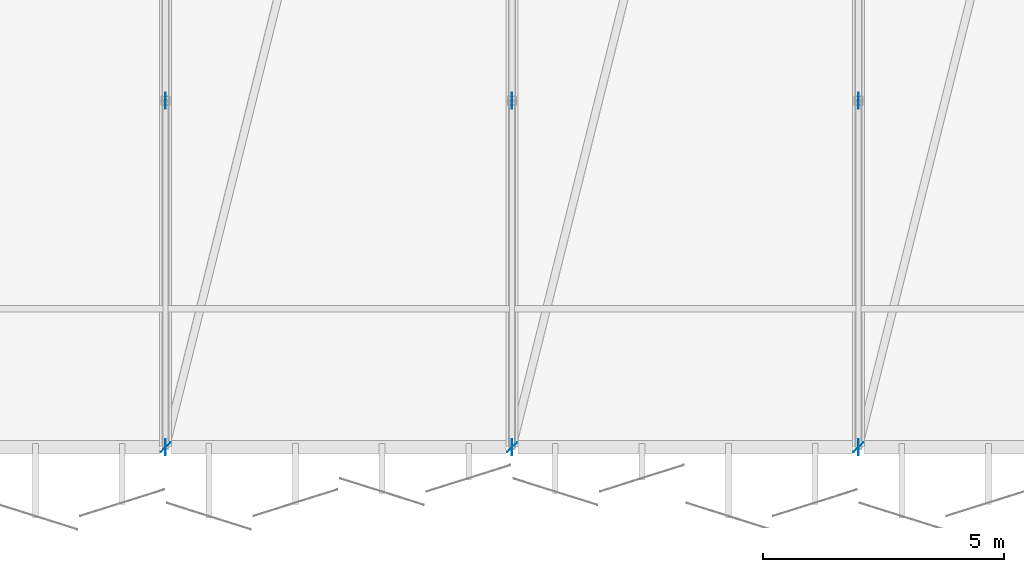
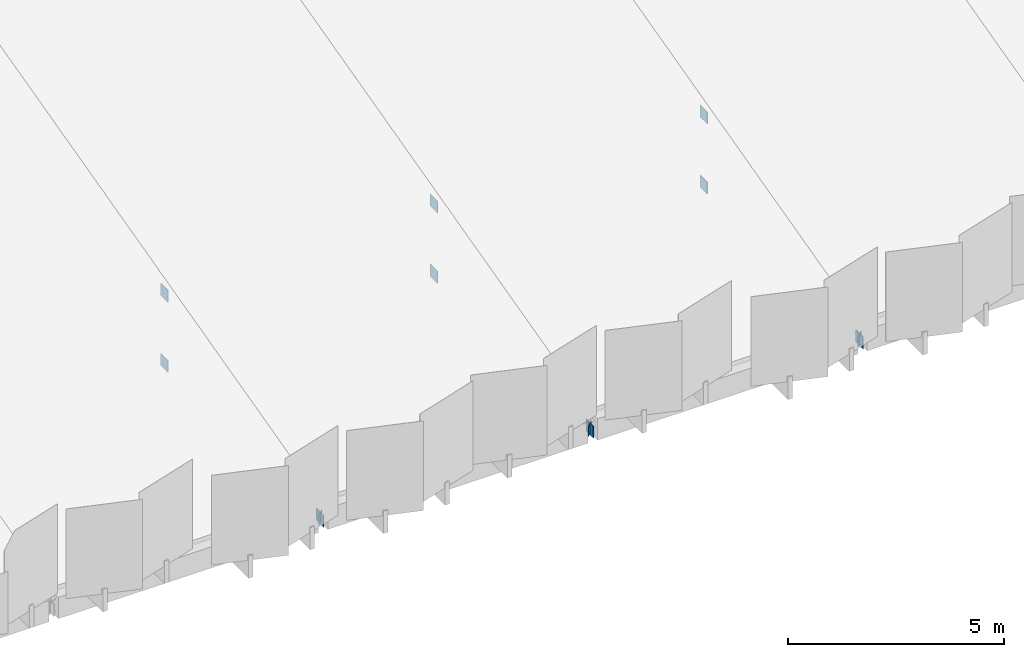
# One storey, part 72 of 108: 12 plates.
"""IFC4 building model written with IfcOpenShell, lengths in metres."""

from ifc_helpers import new_model, si_unit, direction, frame, origin, origin_2d, place, context, subcontext, project, spatial, rectangle, extrude, material, layer, layer_set, type_object, element, save


model = new_model("IFC4")

# Units and contexts
model_context = context("Model", 3, precision=1e-05, world=origin(), true_north=direction((0.0, 1.0)))
body_context = subcontext(model_context, "Body", "Model", "MODEL_VIEW")
ifc_project = project(units=[si_unit("LENGTHUNIT", "METRE"), si_unit("AREAUNIT", "SQUARE_METRE"), si_unit("VOLUMEUNIT", "CUBIC_METRE"), si_unit("PLANEANGLEUNIT", "RADIAN"), si_unit("MASSUNIT", "GRAM", prefix="KILO")], contexts=[model_context])

# Site, building, storey
site_placement = place(None, origin())
site = spatial("IfcSite", under=ifc_project, at=site_placement, CompositionType="ELEMENT")
building_placement = place(site_placement, origin())
building = spatial("IfcBuilding", under=site, at=building_placement, Name="Kangsadwip Square Police Headquarters", CompositionType="ELEMENT")
storey_placement = place(building_placement, frame((0.0, 0.0, 9.449951171875)))
storey = spatial("IfcBuildingStorey", under=building, at=storey_placement, Name="L02", CompositionType="ELEMENT", Elevation=9.449951171875)

# Plates
ifc_material_1 = material(Name="Structural steel IS 2062 E350 (Grade 350, 350 MPa)", Category="steel")
ifc_layer_1 = layer(ifc_material_1, 0.011962890625)
ifc_layer_set_1 = layer_set([ifc_layer_1], Name="Structural steel IS 2062 E350 (Grade 350, 350 MPa)")
plate_type_1 = type_object("IfcPlateType", Name="TrussEndCapPlate12", PredefinedType="USERDEFINED", material=ifc_layer_set_1)
for number, where, z_axis, x_axis, name in (
    (1, (64.800048828125, 86.39990234375, -0.68994140625), (0.0, 0.0, 1.0), (0.707106781187, 0.707106781187, 0.0), "Truss Node Gusset Plate GP-L02-0050"),
    (2, (72.0, 86.39990234375, -0.68994140625), (0.0, 0.0, 1.0), (0.707106781187, 0.707106781187, 0.0), "Truss Node Gusset Plate GP-L02-0052"),
    (3, (79.199951171875, 86.39990234375, -0.68994140625), (0.0, 0.0, 1.0), (0.707106781187, 0.707106781187, 0.0), "Truss Node Gusset Plate GP-L02-0054"),
):
    element("IfcPlate", number, at=place(storey_placement, frame(where, z_axis=z_axis, x_axis=x_axis)), inside=storey, type_object=plate_type_1, Name=name, ObjectType="GUSSET_PLATE", PredefinedType="USERDEFINED", context=body_context, shape_type="SweptSolid", body=[
        extrude(rectangle(XDim=0.280029296875, YDim=0.011962890625, at=origin_2d()), origin(), (0.0, 0.0, 1.0), 0.280029296875),
    ])
ifc_material_2 = material(Name="Structural steel IS 2062 E350 (Grade 350, 350 MPa)", Category="steel")
ifc_layer_2 = layer(ifc_material_2, 0.01611328125)
ifc_layer_set_2 = layer_set([ifc_layer_2], Name="Structural steel IS 2062 E350 (Grade 350, 350 MPa)")
plate_type_2 = type_object("IfcPlateType", Name="TrussGussetPlate16", PredefinedType="USERDEFINED", material=ifc_layer_set_2)
for number, where, z_axis, x_axis, name in (
    (4, (64.800048828125, 93.60009765625, -0.72021484375), (0.0, 0.0, 1.0), (0.0, 1.0, 0.0), "Truss Node Gusset Plate GP-L02-0015"),
    (5, (64.800048828125, 93.60009765625, 1.259765625), (0.0, 0.0, 1.0), (0.0, 1.0, 0.0), "Truss Node Gusset Plate GP-L02-0016"),
    (6, (64.800048828125, 86.39990234375, -0.72021484375), (0.0, 0.0, 1.0), (0.0, 1.0, 0.0), "Truss Node Gusset Plate GP-L02-0021"),
    (7, (72.0, 93.60009765625, -0.72021484375), (0.0, 0.0, 1.0), (0.0, 1.0, 0.0), "Truss Node Gusset Plate GP-L02-0022"),
    (8, (72.0, 93.60009765625, 1.259765625), (0.0, 0.0, 1.0), (0.0, 1.0, 0.0), "Truss Node Gusset Plate GP-L02-0023"),
    (9, (72.0, 86.39990234375, -0.72021484375), (0.0, 0.0, 1.0), (0.0, 1.0, 0.0), "Truss Node Gusset Plate GP-L02-0028"),
    (10, (79.199951171875, 93.60009765625, -0.72021484375), (0.0, 0.0, 1.0), (0.0, 1.0, 0.0), "Truss Node Gusset Plate GP-L02-0029"),
    (11, (79.199951171875, 93.60009765625, 1.259765625), (0.0, 0.0, 1.0), (0.0, 1.0, 0.0), "Truss Node Gusset Plate GP-L02-0030"),
    (12, (79.199951171875, 86.39990234375, -0.72021484375), (0.0, 0.0, 1.0), (0.0, 1.0, 0.0), "Truss Node Gusset Plate GP-L02-0035"),
):
    element("IfcPlate", number, at=place(storey_placement, frame(where, z_axis=z_axis, x_axis=x_axis)), inside=storey, type_object=plate_type_2, Name=name, ObjectType="GUSSET_PLATE", PredefinedType="USERDEFINED", context=body_context, shape_type="SweptSolid", body=[
        extrude(rectangle(XDim=0.340087890625, YDim=0.01611328125, at=origin_2d()), origin(), (0.0, 0.0, 1.0), 0.340087890625),
    ])

save(model, "model.ifc")
